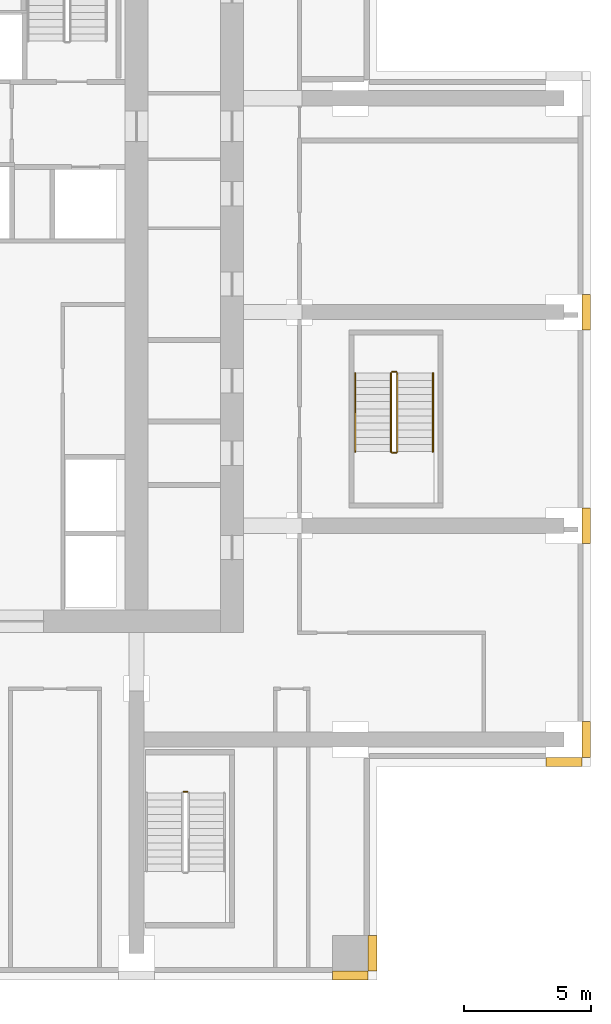
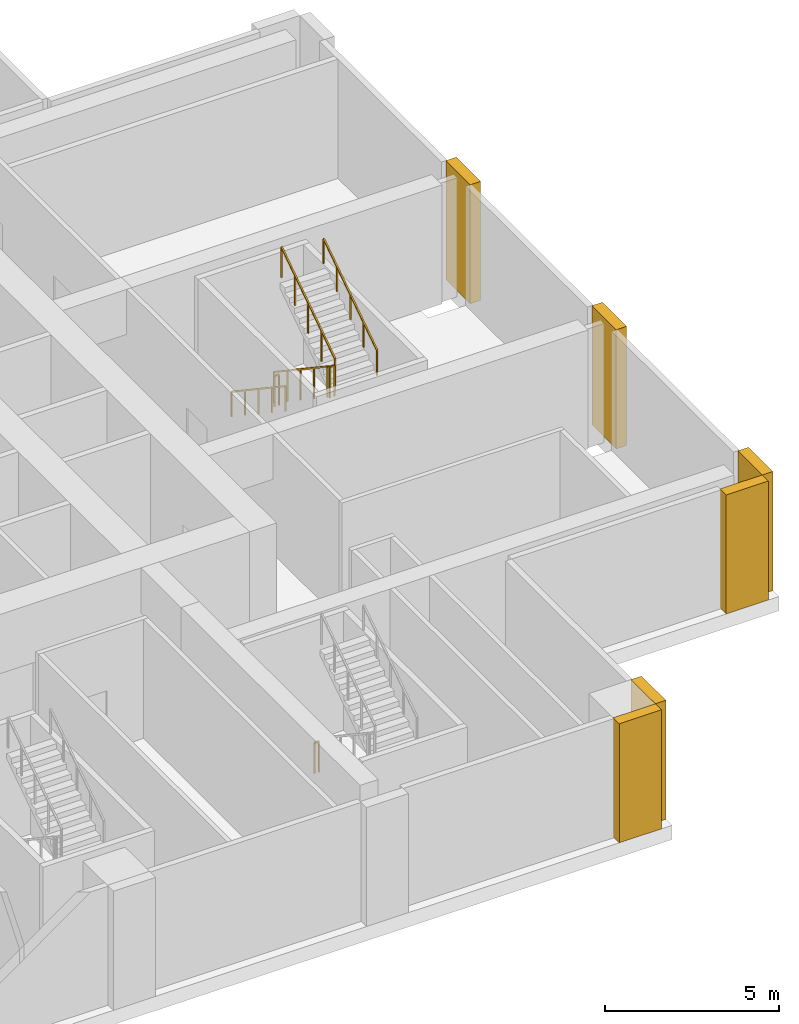
# One storey, part 9 of 11: 6 coverings, 6 railings.
"""IFC4 building model written with IfcOpenShell, lengths in metres."""

from ifc_helpers import new_model, si_unit, direction, frame, origin, origin_2d, place, context, subcontext, project, spatial, polyline, rectangle, outline, extrude, material, type_object, element, save


model = new_model("IFC4")

# Units and contexts
model_context = context("Model", 3, precision=1e-05, world=origin(), true_north=direction((0.0, 1.0)))
body_context = subcontext(model_context, "Body", "Model", "MODEL_VIEW")
ifc_project = project(units=[si_unit("LENGTHUNIT", "METRE"), si_unit("AREAUNIT", "SQUARE_METRE"), si_unit("VOLUMEUNIT", "CUBIC_METRE"), si_unit("PLANEANGLEUNIT", "RADIAN"), si_unit("MASSUNIT", "GRAM", prefix="KILO")], contexts=[model_context])

# Site, building, storey
site_placement = place(None, origin())
site = spatial("IfcSite", under=ifc_project, at=site_placement, CompositionType="ELEMENT")
building_placement = place(site_placement, origin())
building = spatial("IfcBuilding", under=site, at=building_placement, Name="Vermilion Ogive Tower", CompositionType="ELEMENT")
storey_placement = place(building_placement, frame((0.0, 0.0, 75.89990234375)))
storey = spatial("IfcBuildingStorey", under=building, at=storey_placement, Name="L18", CompositionType="ELEMENT", Elevation=75.89990234375)

# Railings
ifc_material_1 = material(Name="Steel S355 painted", Category="steel")
railing_type_1 = type_object("IfcRailingType", Name="Stair guard 1100", PredefinedType="GUARDRAIL", material=ifc_material_1)
railing_1_placement = place(storey_placement, frame((10.25, -14.64990234375, 0.0)))
element("IfcRailing", 1, at=railing_1_placement, inside=storey, type_object=railing_type_1, Name="L18 ST5 stair guard 4", PredefinedType="GUARDRAIL", context=body_context, shape_type="SweptSolid", body=[
    extrude(rectangle(XDim=0.048095703125, YDim=0.048095703125, at=origin_2d()), frame((0.0, 0.0, 1.076171875), z_axis=(1.0, 0.0, 0.0), x_axis=(0.0, 1.0, 0.0)), (0.0, 0.0, 1.0), 0.14990234375),
    extrude(rectangle(XDim=0.0419921875, YDim=0.0419921875, at=origin_2d()), origin(), (0.0, 0.0, 1.0), 1.052001953125),
    extrude(rectangle(XDim=0.0419921875, YDim=0.0419921875, at=origin_2d()), frame((0.14990234375, 0.0, 0.0)), (0.0, 0.0, 1.0), 1.052001953125),
])
railing_2_placement = place(storey_placement, frame((18.39990234375, 1.800048828125, 0.1875)))
element("IfcRailing", 2, at=railing_2_placement, inside=storey, type_object=railing_type_1, Name="L18 ST8 stair guard 1", PredefinedType="GUARDRAIL", context=body_context, shape_type="SweptSolid", body=[
    extrude(rectangle(XDim=0.048095703125, YDim=0.048095703125, at=origin_2d()), frame((0.0, 0.0, 1.076171875), z_axis=(0.0, -0.830913701846, 0.55640131208), x_axis=(1.0, 0.0, 0.0)), (0.0, 0.0, 1.0), 3.706787109375),
    extrude(rectangle(XDim=0.048095703125, YDim=0.048095703125, at=origin_2d()), frame((0.0, -3.080078125, 3.138671875), z_axis=(0.707106781187, -0.707106781187, 0.0), x_axis=(0.707106781187, 0.707106781187, 0.0)), (0.0, 0.0, 1.0), 0.07080078125),
    extrude(rectangle(XDim=0.048095703125, YDim=0.048095703125, at=origin_2d()), frame((0.050048828125, -3.130126953125, 3.138671875), z_axis=(1.0, 0.0, 0.0), x_axis=(0.0, 1.0, 0.0)), (0.0, 0.0, 1.0), 0.150146484375),
    extrude(rectangle(XDim=0.0419921875, YDim=0.0419921875, at=origin_2d()), origin(), (0.0, 0.0, 1.0), 1.052001953125),
    extrude(rectangle(XDim=0.0419921875, YDim=0.0419921875, at=origin_2d()), frame((0.0, -0.77001953125, 0.515625)), (0.0, 0.0, 1.0), 1.052001953125),
    extrude(rectangle(XDim=0.0419921875, YDim=0.0419921875, at=origin_2d()), frame((0.0, -1.5400390625, 1.03125)), (0.0, 0.0, 1.0), 1.052001953125),
    extrude(rectangle(XDim=0.0419921875, YDim=0.0419921875, at=origin_2d()), frame((0.0, -2.31005859375, 1.546875)), (0.0, 0.0, 1.0), 1.052001953125),
    extrude(rectangle(XDim=0.0419921875, YDim=0.0419921875, at=origin_2d()), frame((0.0, -3.080078125, 2.0625)), (0.0, 0.0, 1.0), 1.052001953125),
    extrude(rectangle(XDim=0.0419921875, YDim=0.0419921875, at=origin_2d()), frame((0.050048828125, -3.130126953125, 2.0625)), (0.0, 0.0, 1.0), 1.052001953125),
    extrude(rectangle(XDim=0.0419921875, YDim=0.0419921875, at=origin_2d()), frame((0.2001953125, -3.130126953125, 2.0625)), (0.0, 0.0, 1.0), 1.052001953125),
])
railing_3_placement = place(storey_placement, frame((18.64990234375, -1.280029296875, 2.4375)))
element("IfcRailing", 3, at=railing_3_placement, inside=storey, type_object=railing_type_1, Name="L18 ST8 stair guard 3", PredefinedType="GUARDRAIL", context=body_context, shape_type="SweptSolid", body=[
    extrude(rectangle(XDim=0.048095703125, YDim=0.048095703125, at=origin_2d()), frame((0.0, 0.0, 1.076171875), z_axis=(0.0, 0.830913701846, 0.55640131208), x_axis=(-1.0, 0.0, 0.0)), (0.0, 0.0, 1.0), 3.706787109375),
    extrude(rectangle(XDim=0.0419921875, YDim=0.0419921875, at=origin_2d()), origin(), (0.0, 0.0, 1.0), 1.052001953125),
    extrude(rectangle(XDim=0.0419921875, YDim=0.0419921875, at=origin_2d()), frame((0.0, 0.77001953125, 0.515625)), (0.0, 0.0, 1.0), 1.052001953125),
    extrude(rectangle(XDim=0.0419921875, YDim=0.0419921875, at=origin_2d()), frame((0.0, 1.5400390625, 1.03125)), (0.0, 0.0, 1.0), 1.052001953125),
    extrude(rectangle(XDim=0.0419921875, YDim=0.0419921875, at=origin_2d()), frame((0.0, 2.31005859375, 1.546875)), (0.0, 0.0, 1.0), 1.052001953125),
    extrude(rectangle(XDim=0.0419921875, YDim=0.0419921875, at=origin_2d()), frame((0.0, 3.080078125, 2.0625)), (0.0, 0.0, 1.0), 1.052001953125),
])
railing_4_placement = place(storey_placement, frame((18.449951171875, 1.85009765625, 0.0)))
element("IfcRailing", 4, at=railing_4_placement, inside=storey, type_object=railing_type_1, Name="L18 ST8 stair guard 4", PredefinedType="GUARDRAIL", context=body_context, shape_type="SweptSolid", body=[
    extrude(rectangle(XDim=0.048095703125, YDim=0.048095703125, at=origin_2d()), frame((0.0, 0.0, 1.076171875), z_axis=(1.0, 0.0, 0.0), x_axis=(0.0, 1.0, 0.0)), (0.0, 0.0, 1.0), 0.150146484375),
    extrude(rectangle(XDim=0.0419921875, YDim=0.0419921875, at=origin_2d()), origin(), (0.0, 0.0, 1.0), 1.052001953125),
    extrude(rectangle(XDim=0.0419921875, YDim=0.0419921875, at=origin_2d()), frame((0.150146484375, 0.0, 0.0)), (0.0, 0.0, 1.0), 1.052001953125),
])
ifc_material_2 = material(Name="Stainless steel", Category="steel")
railing_type_2 = type_object("IfcRailingType", Name="Stair handrail 900", PredefinedType="HANDRAIL", material=ifc_material_2)
railing_5_placement = place(storey_placement, frame((17.0, 1.800048828125, 0.1875)))
element("IfcRailing", 5, at=railing_5_placement, inside=storey, type_object=railing_type_2, Name="L18 ST8 stair handrail 1", PredefinedType="HANDRAIL", context=body_context, shape_type="SweptSolid", body=[
    extrude(rectangle(XDim=0.048095703125, YDim=0.048095703125, at=origin_2d()), frame((0.0, 0.0, 0.8759765625), z_axis=(0.0, -0.830913701846, 0.55640131208), x_axis=(1.0, 0.0, 0.0)), (0.0, 0.0, 1.0), 3.706787109375),
    extrude(rectangle(XDim=0.0419921875, YDim=0.0419921875, at=origin_2d()), origin(), (0.0, 0.0, 1.0), 0.851806640625),
    extrude(rectangle(XDim=0.0419921875, YDim=0.0419921875, at=origin_2d()), frame((0.0, -0.77001953125, 0.515625)), (0.0, 0.0, 1.0), 0.851806640625),
    extrude(rectangle(XDim=0.0419921875, YDim=0.0419921875, at=origin_2d()), frame((0.0, -1.5400390625, 1.03125)), (0.0, 0.0, 1.0), 0.851806640625),
    extrude(rectangle(XDim=0.0419921875, YDim=0.0419921875, at=origin_2d()), frame((0.0, -2.31005859375, 1.546875)), (0.0, 0.0, 1.0), 0.851806640625),
    extrude(rectangle(XDim=0.0419921875, YDim=0.0419921875, at=origin_2d()), frame((0.0, -3.080078125, 2.0625)), (0.0, 0.0, 1.0), 0.851806640625),
])
railing_6_placement = place(storey_placement, frame((20.050048828125, -1.280029296875, 2.4375)))
element("IfcRailing", 6, at=railing_6_placement, inside=storey, type_object=railing_type_2, Name="L18 ST8 stair handrail 2", PredefinedType="HANDRAIL", context=body_context, shape_type="SweptSolid", body=[
    extrude(rectangle(XDim=0.048095703125, YDim=0.048095703125, at=origin_2d()), frame((0.0, 0.0, 0.8759765625), z_axis=(0.0, 0.830913701846, 0.55640131208), x_axis=(-1.0, 0.0, 0.0)), (0.0, 0.0, 1.0), 3.706787109375),
    extrude(rectangle(XDim=0.0419921875, YDim=0.0419921875, at=origin_2d()), origin(), (0.0, 0.0, 1.0), 0.851806640625),
    extrude(rectangle(XDim=0.0419921875, YDim=0.0419921875, at=origin_2d()), frame((0.0, 0.77001953125, 0.515625)), (0.0, 0.0, 1.0), 0.851806640625),
    extrude(rectangle(XDim=0.0419921875, YDim=0.0419921875, at=origin_2d()), frame((0.0, 1.5400390625, 1.03125)), (0.0, 0.0, 1.0), 0.851806640625),
    extrude(rectangle(XDim=0.0419921875, YDim=0.0419921875, at=origin_2d()), frame((0.0, 2.31005859375, 1.546875)), (0.0, 0.0, 1.0), 0.851806640625),
    extrude(rectangle(XDim=0.0419921875, YDim=0.0419921875, at=origin_2d()), frame((0.0, 3.080078125, 2.0625)), (0.0, 0.0, 1.0), 0.851806640625),
])

# Coverings
ifc_material_3 = material(Name="Stone cladding", Category="masonry")
covering_type = type_object("IfcCoveringType", Name="Stone pier", PredefinedType="CLADDING", material=ifc_material_3)
covering_1_placement = place(storey_placement, origin())
element("IfcCovering", 7, at=covering_1_placement, inside=storey, type_object=covering_type, Name="Stone pier P+0168-210S", PredefinedType="CLADDING", context=body_context, shape_type="SweptSolid", body=[
    extrude(outline(polyline([(17.5, -21.699951171875), (17.5, -21.699951171875), (17.5, -22.050048828125), (16.10009765625, -22.050048828125), (16.10009765625, -21.699951171875), (16.10009765625, -21.699951171875), (17.5, -21.699951171875)])), origin(), (0.0, 0.0, 1.0), 4.18017578125),
])
covering_2_placement = place(storey_placement, origin())
element("IfcCovering", 8, at=covering_2_placement, inside=storey, type_object=covering_type, Name="Stone pier P+0168-210X1", PredefinedType="CLADDING", context=body_context, shape_type="SweptSolid", body=[
    extrude(outline(polyline([(17.85009765625, -21.699951171875), (17.5, -21.699951171875), (17.5, -21.699951171875), (17.5, -20.300048828125), (17.85009765625, -20.300048828125), (17.85009765625, -21.699951171875)])), origin(), (0.0, 0.0, 1.0), 4.18017578125),
])
covering_3_placement = place(storey_placement, origin())
element("IfcCovering", 9, at=covering_3_placement, inside=storey, type_object=covering_type, Name="Stone pier P+0252+042", PredefinedType="CLADDING", context=body_context, shape_type="SweptSolid", body=[
    extrude(outline(polyline([(26.25, 4.89990234375), (26.25, 3.5), (25.89990234375, 3.5), (25.89990234375, 4.89990234375), (26.25, 4.89990234375)])), origin(), (0.0, 0.0, 1.0), 4.18017578125),
])
covering_4_placement = place(storey_placement, origin())
element("IfcCovering", 10, at=covering_4_placement, inside=storey, type_object=covering_type, Name="Stone pier P+0252-042", PredefinedType="CLADDING", context=body_context, shape_type="SweptSolid", body=[
    extrude(outline(polyline([(26.25, -3.5), (26.25, -4.89990234375), (25.89990234375, -4.89990234375), (25.89990234375, -3.5), (26.25, -3.5)])), origin(), (0.0, 0.0, 1.0), 4.18017578125),
])
covering_5_placement = place(storey_placement, origin())
element("IfcCovering", 11, at=covering_5_placement, inside=storey, type_object=covering_type, Name="Stone pier P+0252-126X2", PredefinedType="CLADDING", context=body_context, shape_type="SweptSolid", body=[
    extrude(outline(polyline([(25.89990234375, -13.300048828125), (25.89990234375, -13.64990234375), (24.5, -13.64990234375), (24.5, -13.300048828125), (24.5, -13.300048828125), (25.89990234375, -13.300048828125)])), origin(), (0.0, 0.0, 1.0), 4.18017578125),
])
covering_6_placement = place(storey_placement, origin())
element("IfcCovering", 12, at=covering_6_placement, inside=storey, type_object=covering_type, Name="Stone pier P+0252-126E", PredefinedType="CLADDING", context=body_context, shape_type="SweptSolid", body=[
    extrude(outline(polyline([(26.25, -13.300048828125), (25.89990234375, -13.300048828125), (25.89990234375, -11.89990234375), (26.25, -11.89990234375), (26.25, -13.300048828125)])), origin(), (0.0, 0.0, 1.0), 4.18017578125),
])

save(model, "model.ifc")
